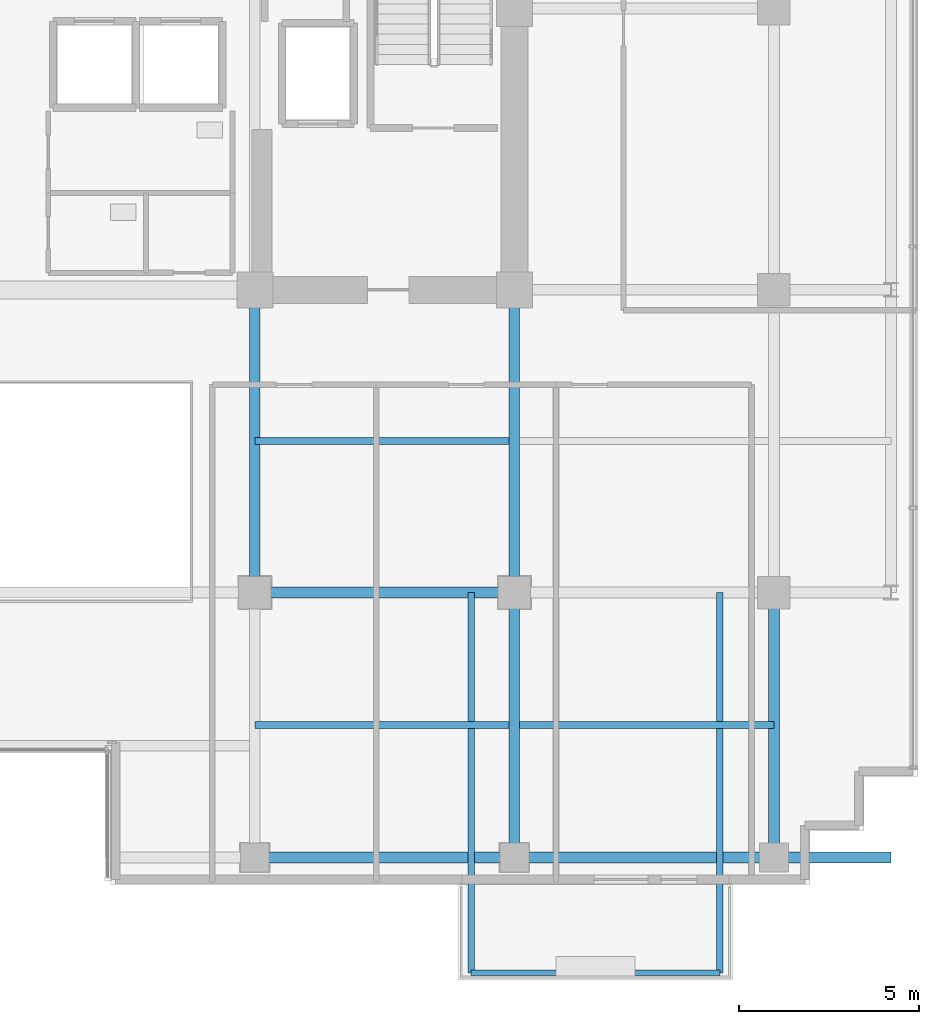
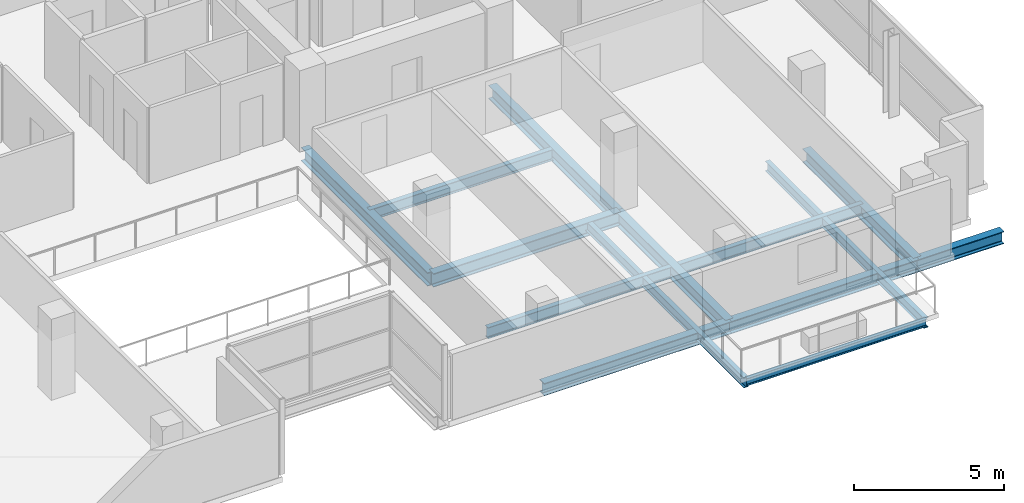
# One storey, part 11 of 28: 14 beams.
"""IFC4 building model written with IfcOpenShell, lengths in metres."""

import ifcopenshell
import ifcopenshell.guid

model = None  # the IFC model being written
_history = None  # IfcOwnerHistory: only IFC2X3 demands one
_inside = {}  # id of a spatial element -> (the spatial element, [elements in it])
_under = {}  # id of a project, library or spatial element -> (it, [spatial elements below it])
_declared = {}  # id of a project -> (the project, [libraries it declares])
_typed = {}  # id of a type object -> (the type object, [elements of that type])
_made_of = {}  # id of a material, layer set ... -> (it, [elements and type objects made of it])


def new_model(schema):
    """Start an empty IFC model of exactly this schema.

    Asked for "IFC4X3", IfcOpenShell would pick the latest addendum, in which some entities
    have other attributes; the version numbers below select the first issue.
    IFC2X3 requires an IfcOwnerHistory on every rooted entity: one is made here for all.
    """
    global model, _history
    if schema == "IFC4X3":
        model = ifcopenshell.file(schema_version=(4, 3, 0, 0))
    else:
        model = ifcopenshell.file(schema=schema)
    _inside.clear()
    _under.clear()
    _declared.clear()
    _typed.clear()
    _made_of.clear()
    _history = None
    if model.schema == "IFC2X3":
        org = make("IfcOrganization", Name="unknown")
        user = make(
            "IfcPersonAndOrganization",
            ThePerson=make("IfcPerson", FamilyName="unknown"),
            TheOrganization=org,
        )
        app = make(
            "IfcApplication",
            ApplicationDeveloper=org,
            Version="unknown",
            ApplicationFullName="unknown",
            ApplicationIdentifier="unknown",
        )
        _history = make(
            "IfcOwnerHistory",
            OwningUser=user,
            OwningApplication=app,
            ChangeAction="ADDED",
            CreationDate=0,
        )
    return model


def make(cls, **values):
    """One entity of the class cls with the attributes given. An attribute that is None is left unset."""
    return model.create_entity(
        cls, **{name: value for name, value in values.items() if value is not None}
    )


def rooted(cls, **values):
    """An entity with a GlobalId (a new one), such as an element, a storey or a relation."""
    return make(cls, GlobalId=ifcopenshell.guid.new(), OwnerHistory=_history, **values)


def si_unit(unit_type, name, prefix=None):
    """IfcSIUnit, for example si_unit("LENGTHUNIT", "METRE", prefix="MILLI")."""
    return make("IfcSIUnit", UnitType=unit_type, Prefix=prefix, Name=name)


def assignment(units):
    """IfcUnitAssignment: the units of a project."""
    return None if units is None else make("IfcUnitAssignment", Units=units)


def point(xyz):
    """IfcCartesianPoint."""
    return None if xyz is None else make("IfcCartesianPoint", Coordinates=xyz)


def direction(xyz):
    """IfcDirection."""
    return None if xyz is None else make("IfcDirection", DirectionRatios=xyz)


def frame(location, z_axis=None, x_axis=None):
    """IfcAxis2Placement3D, a coordinate frame: its origin and axes. An axis left out is left unset."""
    return make(
        "IfcAxis2Placement3D",
        Location=point(location),
        Axis=direction(z_axis),
        RefDirection=direction(x_axis),
    )


def frame_2d(location, x_axis=None):
    """IfcAxis2Placement2D, a coordinate frame in the plane: its origin and x axis."""
    return make(
        "IfcAxis2Placement2D", Location=point(location), RefDirection=direction(x_axis)
    )


def origin():
    """The frame at (0, 0, 0) with its axes left unset."""
    return frame((0.0, 0.0, 0.0))


def origin_2d():
    """The frame at (0, 0) in the plane with its x axis left unset."""
    return frame_2d((0.0, 0.0))


def place(relative_to, where):
    """IfcLocalPlacement: puts the frame where relative to a parent placement (None: the world)."""
    return make(
        "IfcLocalPlacement", PlacementRelTo=relative_to, RelativePlacement=where
    )


def context(
    kind, dimensions, precision=None, world=None, true_north=None, identifier=None
):
    """IfcGeometricRepresentationContext, for example the 3D "Model" context."""
    return make(
        "IfcGeometricRepresentationContext",
        ContextIdentifier=identifier,
        ContextType=kind,
        CoordinateSpaceDimension=dimensions,
        Precision=precision,
        WorldCoordinateSystem=world,
        TrueNorth=true_north,
    )


def subcontext(parent, identifier, kind, view, scale=None):
    """IfcGeometricRepresentationSubContext, for example "Body" below "Model"."""
    return make(
        "IfcGeometricRepresentationSubContext",
        ContextIdentifier=identifier,
        ContextType=kind,
        ParentContext=parent,
        TargetScale=scale,
        TargetView=view,
    )


def project(units=None, contexts=None):
    """IfcProject with its units and contexts."""
    return rooted(
        "IfcProject",
        Name="project",
        RepresentationContexts=contexts,
        UnitsInContext=assignment(units),
    )


def spatial(cls, under=None, at=None, **own):
    """A site, building, storey or space (cls), placed at a placement, below another one or the project."""
    s = rooted(cls, ObjectPlacement=at, **own)
    if under is not None:
        _under.setdefault(under.id(), (under, []))[1].append(s)
    return s


def profile(cls, at=None, kind="AREA", **sizes):
    """A parametric profile (cls). Its sizes go by their IFC names, for example OverallWidth=200.0."""
    return make(cls, ProfileType=kind, Position=at, **sizes)


def i_section(**sizes):
    """IfcIShapeProfileDef."""
    return profile("IfcIShapeProfileDef", **sizes)


def extrude(swept, where, along, depth):
    """IfcExtrudedAreaSolid: the profile swept, set in the frame where, extruded along a direction by depth."""
    return make(
        "IfcExtrudedAreaSolid",
        SweptArea=swept,
        Position=where,
        ExtrudedDirection=direction(along),
        Depth=depth,
    )


def shape(context_of_items, identifier, shape_type, items):
    """IfcShapeRepresentation: the items that make up one representation, for example the "Body"."""
    return make(
        "IfcShapeRepresentation",
        ContextOfItems=context_of_items,
        RepresentationIdentifier=identifier,
        RepresentationType=shape_type,
        Items=items,
    )


def material(Name=None, Category=None):
    """IfcMaterial."""
    return make("IfcMaterial", Name=Name, Category=Category)


def material_profile(
    of_material, cross_section, Name=None, Category=None, Priority=None
):
    """IfcMaterialProfile: a cross section and its material."""
    return make(
        "IfcMaterialProfile",
        Name=Name,
        Material=of_material,
        Profile=cross_section,
        Priority=Priority,
        Category=Category,
    )


def profile_set(profiles, Name=None, composite=None):
    """IfcMaterialProfileSet."""
    return make(
        "IfcMaterialProfileSet",
        Name=Name,
        MaterialProfiles=profiles,
        CompositeProfile=composite,
    )


def made_of(thing, what):
    """Note that an element or type object is made of a material, layer set ...; save() writes the relation."""
    if what is not None:
        _made_of.setdefault(what.id(), (what, []))[1].append(thing)
    return thing


def type_object(cls, material=None, **own):
    """A type object (cls), such as IfcWallType, which elements share."""
    return made_of(rooted(cls, **own), material)


def element(
    cls,
    number,
    at=None,
    inside=None,
    cuts=None,
    type_object=None,
    material=None,
    context=None,
    identifier="Body",
    shape_type=None,
    held_by="IfcProductDefinitionShape",
    body=None,
    shapes=None,
    **own,
):
    """One element of the class cls, such as IfcWall. Its Tag is "e" and its number.

    at: its placement. inside: the storey or other place that contains it. cuts: it is an
    opening in that element (IfcRelVoidsElement). A single representation is given by context,
    identifier, shape_type and body (its items); several are given by shapes. held_by: the class
    of the entity that holds the representations. save() writes the other relations.
    """
    e = rooted(cls, Tag="e%d" % number, ObjectPlacement=at, **own)
    if body is not None:
        shapes = [shape(context, identifier, shape_type, body)]
    if shapes is not None:
        e.Representation = make(held_by, Representations=shapes)
    if inside is not None:
        _inside.setdefault(inside.id(), (inside, []))[1].append(e)
    if cuts is not None:
        rooted(
            "IfcRelVoidsElement", RelatingBuildingElement=cuts, RelatedOpeningElement=e
        )
    if type_object is not None:
        _typed.setdefault(type_object.id(), (type_object, []))[1].append(e)
    return made_of(e, material)


def aggregate(whole, parts):
    """IfcRelAggregates: a whole, such as a stair, and the parts it consists of."""
    return rooted("IfcRelAggregates", RelatingObject=whole, RelatedObjects=parts)


def save(model, path):
    """Write the relations noted so far, then the file.

    IfcRelAggregates (storeys below a building ...), IfcRelContainedInSpatialStructure (elements
    in a storey), IfcRelDefinesByType, IfcRelAssociatesMaterial and IfcRelDeclares: one each for
    every whole, place, type object, material and project.
    """
    for whole, parts in _under.values():
        aggregate(whole, parts)
    for where, things in _inside.values():
        rooted(
            "IfcRelContainedInSpatialStructure",
            RelatedElements=things,
            RelatingStructure=where,
        )
    for kind, things in _typed.values():
        rooted("IfcRelDefinesByType", RelatedObjects=things, RelatingType=kind)
    for what, things in _made_of.values():
        rooted("IfcRelAssociatesMaterial", RelatedObjects=things, RelatingMaterial=what)
    for by, libraries in _declared.values():
        rooted("IfcRelDeclares", RelatingContext=by, RelatedDefinitions=libraries)
    model.write(path)


model = new_model("IFC4")

# Units and contexts
model_context = context("Model", 3, precision=1e-05, world=origin(), true_north=direction((0.0, 1.0)))
body_context = subcontext(model_context, "Body", "Model", "MODEL_VIEW")
ifc_project = project(units=[si_unit("LENGTHUNIT", "METRE"), si_unit("AREAUNIT", "SQUARE_METRE"), si_unit("VOLUMEUNIT", "CUBIC_METRE"), si_unit("PLANEANGLEUNIT", "RADIAN"), si_unit("MASSUNIT", "GRAM", prefix="KILO")], contexts=[model_context])

# Site, building, storey
site_placement = place(None, origin())
site = spatial("IfcSite", under=ifc_project, at=site_placement, CompositionType="ELEMENT")
building_placement = place(site_placement, origin())
building = spatial("IfcBuilding", under=site, at=building_placement, Name="Zarnakvel Exchange Tower", CompositionType="ELEMENT")
storey_placement = place(building_placement, frame((0.0, 0.0, 103.300048828125)))
storey = spatial("IfcBuildingStorey", under=building, at=storey_placement, Name="L28", CompositionType="ELEMENT", Elevation=103.300048828125)

# Beams
ifc_material = material(Name="Steel S355", Category="steel")
ifc_material_profile_1 = material_profile(ifc_material, i_section(OverallWidth=0.18994140625, OverallDepth=0.449951171875, WebThickness=0.009521484375, FlangeThickness=0.0146484375, FilletRadius=0.02099609375, at=origin_2d()))
ifc_profile_set_1 = profile_set([ifc_material_profile_1], Name="Steel S355")
beam_type_1 = type_object("IfcBeamType", Name="B-05", PredefinedType="JOIST", material=ifc_profile_set_1)
for number, where, z_axis, x_axis, name in (
    (1, (7.199951171875, -13.27490234375, -0.449951171875), (1.0, 0.0, 0.0), (0.0, 1.0, 0.0), "L28 Composite Floor Secondary Joist"),
    (2, (14.550048828125, -13.27490234375, -0.449951171875), (1.0, 0.0, 0.0), (0.0, 1.0, 0.0), "L28 Composite Floor Secondary Joist"),
    (3, (7.199951171875, -5.39990234375, -0.449951171875), (1.0, 0.0, 0.0), (0.0, 1.0, 0.0), "L28 Composite Floor Secondary Joist"),
):
    element("IfcBeam", number, at=place(storey_placement, frame(where, z_axis=z_axis, x_axis=x_axis)), inside=storey, type_object=beam_type_1, Name=name, PredefinedType="JOIST", context=body_context, shape_type="SweptSolid", body=[
        extrude(i_section(OverallWidth=0.18994140625, OverallDepth=0.449951171875, WebThickness=0.009521484375, FlangeThickness=0.0146484375, FilletRadius=0.02099609375, at=origin_2d()), origin(), (0.0, 0.0, 1.0), 7.050048828125),
    ])
ifc_material_profile_2 = material_profile(ifc_material, i_section(OverallWidth=0.179931640625, OverallDepth=0.39990234375, WebThickness=0.008544921875, FlangeThickness=0.013427734375, FilletRadius=0.02099609375, at=origin_2d()))
ifc_profile_set_2 = profile_set([ifc_material_profile_2], Name="Steel S355")
beam_type_2 = type_object("IfcBeamType", Name="B-06", PredefinedType="JOIST", material=ifc_profile_set_2)
for number, where, z_axis, x_axis, name in (
    (4, (13.199951171875, -9.60009765625, -0.425048828125), (0.0, -1.0, 0.0), (1.0, 0.0, 0.0), "L28 Continuous Back-Spanned Balcony Beam W"),
    (5, (20.10009765625, -9.60009765625, -0.425048828125), (0.0, -1.0, 0.0), (1.0, 0.0, 0.0), "L28 Continuous Back-Spanned Balcony Beam E"),
):
    element("IfcBeam", number, at=place(storey_placement, frame(where, z_axis=z_axis, x_axis=x_axis)), inside=storey, type_object=beam_type_2, Name=name, PredefinedType="JOIST", context=body_context, shape_type="SweptSolid", body=[
        extrude(i_section(OverallWidth=0.179931640625, OverallDepth=0.39990234375, WebThickness=0.008544921875, FlangeThickness=0.013427734375, FilletRadius=0.02099609375, at=origin_2d()), origin(), (0.0, 0.0, 1.0), 10.5498046875),
    ])
ifc_material_profile_3 = material_profile(ifc_material, i_section(OverallWidth=0.14990234375, OverallDepth=0.300048828125, WebThickness=0.007080078125, FlangeThickness=0.0107421875, FilletRadius=0.014892578125, at=origin_2d()))
ifc_profile_set_3 = profile_set([ifc_material_profile_3], Name="Steel S355")
beam_type_3 = type_object("IfcBeamType", Name="B-08", PredefinedType="JOIST", material=ifc_profile_set_3)
beam_1_placement = place(storey_placement, frame((13.199951171875, -20.14990234375, -0.375), z_axis=(1.0, 0.0, 0.0), x_axis=(0.0, 1.0, 0.0)))
element("IfcBeam", 6, at=beam_1_placement, inside=storey, type_object=beam_type_3, Name="L28 Balcony Edge Beam", PredefinedType="JOIST", context=body_context, shape_type="SweptSolid", body=[
    extrude(i_section(OverallWidth=0.14990234375, OverallDepth=0.300048828125, WebThickness=0.007080078125, FlangeThickness=0.0107421875, FilletRadius=0.014892578125, at=origin_2d()), origin(), (0.0, 0.0, 1.0), 6.900146484375),
])
ifc_material_profile_4 = material_profile(ifc_material, i_section(OverallWidth=0.300048828125, OverallDepth=0.550048828125, WebThickness=0.014892578125, FlangeThickness=0.029052734375, FilletRadius=0.027099609375, at=origin_2d()))
ifc_profile_set_4 = profile_set([ifc_material_profile_4], Name="Steel S355")
beam_type_4 = type_object("IfcBeamType", Name="G-05", PredefinedType="BEAM", material=ifc_profile_set_4)
beam_2_placement = place(storey_placement, frame((7.199951171875, -9.60009765625, -0.5), z_axis=(1.0, 0.0, 0.0), x_axis=(0.0, 1.0, 0.0)))
element("IfcBeam", 7, at=beam_2_placement, inside=storey, type_object=beam_type_4, Name="L28 Tower E-W Frame Beam", PredefinedType="BEAM", context=body_context, shape_type="SweptSolid", body=[
    extrude(i_section(OverallWidth=0.300048828125, OverallDepth=0.550048828125, WebThickness=0.014892578125, FlangeThickness=0.029052734375, FilletRadius=0.027099609375, at=origin_2d()), origin(), (0.0, 0.0, 1.0), 7.199951171875),
])
beam_3_placement = place(storey_placement, frame((7.199951171875, -9.60009765625, -0.5), z_axis=(0.0, 1.0, 0.0), x_axis=(-1.0, 0.0, 0.0)))
element("IfcBeam", 8, at=beam_3_placement, inside=storey, type_object=beam_type_4, Name="L28 Tower N-S Frame Beam", PredefinedType="BEAM", context=body_context, shape_type="SweptSolid", body=[
    extrude(i_section(OverallWidth=0.300048828125, OverallDepth=0.550048828125, WebThickness=0.014892578125, FlangeThickness=0.029052734375, FilletRadius=0.027099609375, at=origin_2d()), origin(), (0.0, 0.0, 1.0), 8.400146484375),
])
beam_4_placement = place(storey_placement, frame((14.39990234375, -16.949951171875, -0.5), z_axis=(0.0, 1.0, 0.0), x_axis=(-1.0, 0.0, 0.0)))
element("IfcBeam", 9, at=beam_4_placement, inside=storey, type_object=beam_type_4, Name="L28 Tower N-S Frame Beam", PredefinedType="BEAM", context=body_context, shape_type="SweptSolid", body=[
    extrude(i_section(OverallWidth=0.300048828125, OverallDepth=0.550048828125, WebThickness=0.014892578125, FlangeThickness=0.029052734375, FilletRadius=0.027099609375, at=origin_2d()), origin(), (0.0, 0.0, 1.0), 7.349853515625),
])
beam_5_placement = place(storey_placement, frame((14.39990234375, -9.60009765625, -0.5), z_axis=(0.0, 1.0, 0.0), x_axis=(-1.0, 0.0, 0.0)))
element("IfcBeam", 10, at=beam_5_placement, inside=storey, type_object=beam_type_4, Name="L28 Tower N-S Frame Beam", PredefinedType="BEAM", context=body_context, shape_type="SweptSolid", body=[
    extrude(i_section(OverallWidth=0.300048828125, OverallDepth=0.550048828125, WebThickness=0.014892578125, FlangeThickness=0.029052734375, FilletRadius=0.027099609375, at=origin_2d()), origin(), (0.0, 0.0, 1.0), 8.400146484375),
])
beam_6_placement = place(storey_placement, frame((21.60009765625, -16.949951171875, -0.5), z_axis=(0.0, 1.0, 0.0), x_axis=(-1.0, 0.0, 0.0)))
element("IfcBeam", 11, at=beam_6_placement, inside=storey, type_object=beam_type_4, Name="L28 Tower N-S Frame Beam", PredefinedType="BEAM", context=body_context, shape_type="SweptSolid", body=[
    extrude(i_section(OverallWidth=0.300048828125, OverallDepth=0.550048828125, WebThickness=0.014892578125, FlangeThickness=0.029052734375, FilletRadius=0.027099609375, at=origin_2d()), origin(), (0.0, 0.0, 1.0), 7.349853515625),
])
ifc_material_profile_5 = material_profile(ifc_material, i_section(OverallWidth=0.300048828125, OverallDepth=0.5, WebThickness=0.014404296875, FlangeThickness=0.028076171875, FilletRadius=0.027099609375, at=origin_2d()))
ifc_profile_set_5 = profile_set([ifc_material_profile_5], Name="Steel S355")
beam_type_5 = type_object("IfcBeamType", Name="SP-02", PredefinedType="SPANDREL", material=ifc_profile_set_5)
beam_7_placement = place(storey_placement, frame((7.199951171875, -16.949951171875, -0.47509765625), z_axis=(1.0, 0.0, 0.0), x_axis=(0.0, 1.0, 0.0)))
element("IfcBeam", 12, at=beam_7_placement, inside=storey, type_object=beam_type_5, Name="L28 Tower E-W Frame Beam", PredefinedType="SPANDREL", context=body_context, shape_type="SweptSolid", body=[
    extrude(i_section(OverallWidth=0.300048828125, OverallDepth=0.5, WebThickness=0.014404296875, FlangeThickness=0.028076171875, FilletRadius=0.027099609375, at=origin_2d()), origin(), (0.0, 0.0, 1.0), 7.199951171875),
])
beam_8_placement = place(storey_placement, frame((14.39990234375, -16.949951171875, -0.47509765625), z_axis=(1.0, 0.0, 0.0), x_axis=(0.0, 1.0, 0.0)))
element("IfcBeam", 13, at=beam_8_placement, inside=storey, type_object=beam_type_5, Name="L28 Tower E-W Frame Beam", PredefinedType="SPANDREL", context=body_context, shape_type="SweptSolid", body=[
    extrude(i_section(OverallWidth=0.300048828125, OverallDepth=0.5, WebThickness=0.014404296875, FlangeThickness=0.028076171875, FilletRadius=0.027099609375, at=origin_2d()), origin(), (0.0, 0.0, 1.0), 7.2001953125),
])
beam_9_placement = place(storey_placement, frame((21.60009765625, -16.949951171875, -0.47509765625), z_axis=(1.0, 0.0, 0.0), x_axis=(0.0, 1.0, 0.0)))
element("IfcBeam", 14, at=beam_9_placement, inside=storey, type_object=beam_type_5, Name="L28 South-East Corner Spandrel", PredefinedType="SPANDREL", context=body_context, shape_type="SweptSolid", body=[
    extrude(i_section(OverallWidth=0.300048828125, OverallDepth=0.5, WebThickness=0.014404296875, FlangeThickness=0.028076171875, FilletRadius=0.027099609375, at=origin_2d()), origin(), (0.0, 0.0, 1.0), 3.25),
])

save(model, "model.ifc")
